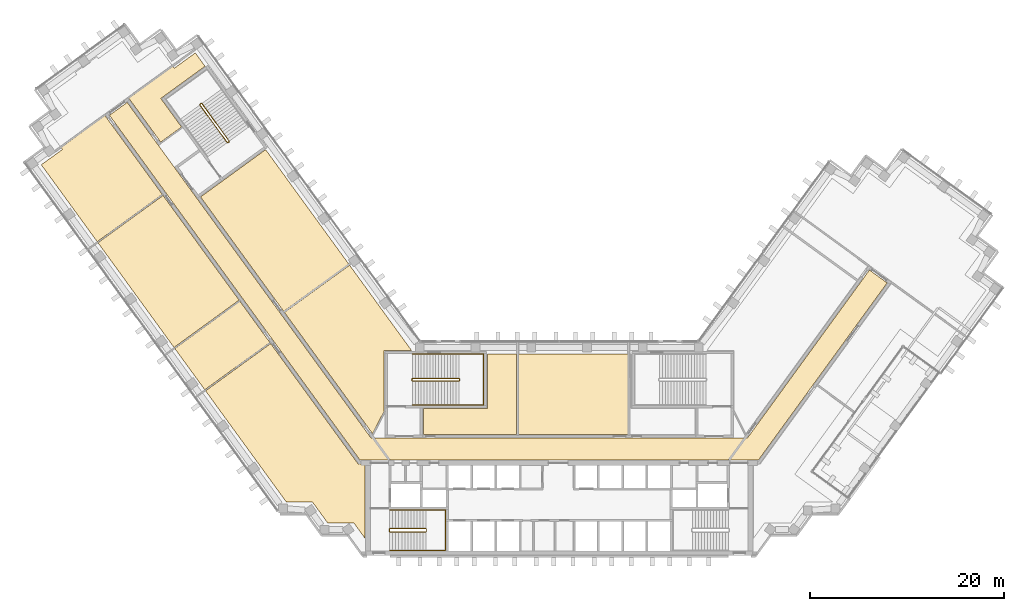
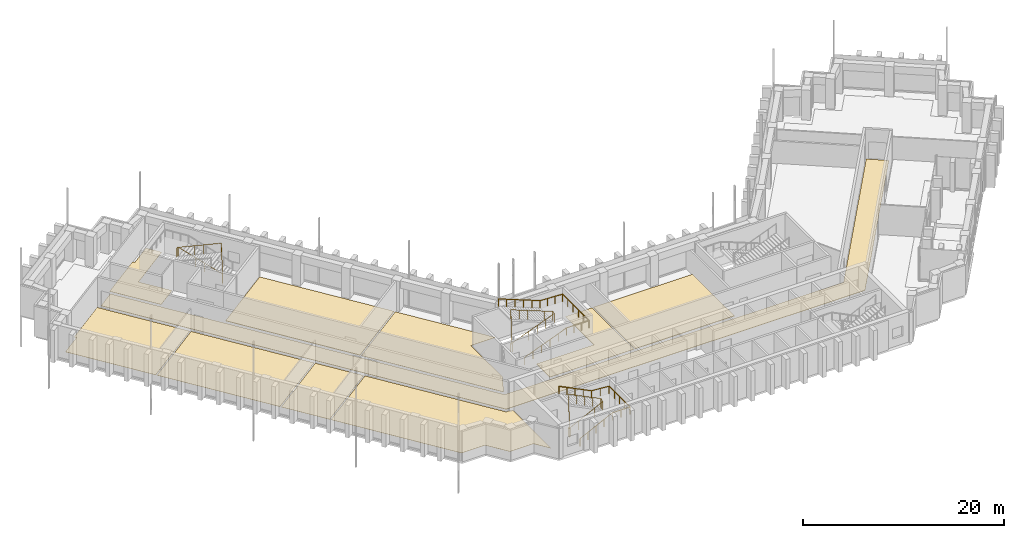
# One storey, part 15 of 17: 10 coverings, 5 railings.
"""IFC4 building model written with IfcOpenShell, lengths in metres."""

from ifc_helpers import new_model, si_unit, direction, frame, origin, origin_2d, place, context, subcontext, project, spatial, polyline, circle, outline, extrude, material, layer, layer_set, type_object, element, save


model = new_model("IFC4")

# Units and contexts
model_context = context("Model", 3, precision=1e-05, world=origin(), true_north=direction((0.0, 1.0)))
body_context = subcontext(model_context, "Body", "Model", "MODEL_VIEW")
ifc_project = project(units=[si_unit("LENGTHUNIT", "METRE"), si_unit("AREAUNIT", "SQUARE_METRE"), si_unit("VOLUMEUNIT", "CUBIC_METRE"), si_unit("PLANEANGLEUNIT", "RADIAN"), si_unit("MASSUNIT", "GRAM", prefix="KILO")], contexts=[model_context])

# Site, building, storey
site_placement = place(None, origin())
site = spatial("IfcSite", under=ifc_project, at=site_placement, CompositionType="ELEMENT")
building_placement = place(site_placement, origin())
building = spatial("IfcBuilding", under=site, at=building_placement, Name="Quipu Civic Tower", CompositionType="ELEMENT")
storey_placement = place(building_placement, frame((0.0, 0.0, 101.0)))
storey = spatial("IfcBuildingStorey", under=building, at=storey_placement, Name="L23", CompositionType="ELEMENT", Elevation=101.0)

# Coverings
ifc_material_1 = material(Name="Carpet tile on raised access floor")
ifc_layer_1 = layer(ifc_material_1, 0.02001953125)
ifc_layer_set_1 = layer_set([ifc_layer_1], Name="Carpet tile on raised access floor")
covering_type_1 = type_object("IfcCoveringType", Name="Carpet tile floor finish 20", PredefinedType="FLOORING", material=ifc_layer_set_1)
covering_1_placement = place(storey_placement, origin())
element("IfcCovering", 1, at=covering_1_placement, inside=storey, type_object=covering_type_1, Name="Carpet tile floor finish 20", PredefinedType="FLOORING", context=body_context, shape_type="SweptSolid", body=[
    extrude(outline(polyline([(-14.030029296875, 4.179931640625), (-7.430908203125, 4.179931640625), (-7.429931640625, 9.830078125), (-4.388916015625, 9.830078125), (-4.388916015625, 1.52001953125), (-14.030029296875, 1.52001953125), (-14.030029296875, 4.179931640625)])), origin(), (0.0, 0.0, 1.0), 0.02001953125),
])
covering_2_placement = place(storey_placement, origin())
element("IfcCovering", 2, at=covering_2_placement, inside=storey, type_object=covering_type_1, Name="Carpet tile floor finish 20", PredefinedType="FLOORING", context=body_context, shape_type="SweptSolid", body=[
    extrude(outline(polyline([(-44.445068359375, 36.23193359375), (-39.906005859375, 39.530029296875), (-39.757080078125, 39.327880859375), (-37.573974609375, 40.9130859375), (-36.570068359375, 39.530029296875), (-41.139892578125, 36.208984375), (-38.998046875, 33.260009765625), (-41.15087890625, 31.697021484375), (-44.445068359375, 36.23193359375)])), origin(), (0.0, 0.0, 1.0), 0.02001953125),
])
covering_3_placement = place(storey_placement, origin())
element("IfcCovering", 3, at=covering_3_placement, inside=storey, type_object=covering_type_1, Name="Carpet tile floor finish 20", PredefinedType="FLOORING", context=body_context, shape_type="SweptSolid", body=[
    extrude(outline(polyline([(-53.47998046875, 29.35791015625), (-51.298095703125, 30.943115234375), (-51.443115234375, 31.14599609375), (-46.904052734375, 34.444091796875), (-40.988037109375, 26.301025390625), (-47.7119140625, 21.41796875), (-53.47998046875, 29.35791015625)])), origin(), (0.0, 0.0, 1.0), 0.02001953125),
])
covering_4_placement = place(storey_placement, origin())
element("IfcCovering", 4, at=covering_4_placement, inside=storey, type_object=covering_type_1, Name="Carpet tile floor finish 20", PredefinedType="FLOORING", context=body_context, shape_type="SweptSolid", body=[
    extrude(outline(polyline([(-39.694091796875, 10.383056640625), (-32.969970703125, 15.26708984375), (-29.87890625, 11.010986328125), (-36.60302734375, 6.126953125), (-39.694091796875, 10.383056640625)])), origin(), (0.0, 0.0, 1.0), 0.02001953125),
])
covering_5_placement = place(storey_placement, origin())
element("IfcCovering", 5, at=covering_5_placement, inside=storey, type_object=covering_type_1, Name="Carpet tile floor finish 20", PredefinedType="FLOORING", context=body_context, shape_type="SweptSolid", body=[
    extrude(outline(polyline([(-47.62890625, 21.304931640625), (-40.905029296875, 26.18798828125), (-33.052978515625, 15.3798828125), (-39.777099609375, 10.49609375), (-47.62890625, 21.304931640625)])), origin(), (0.0, 0.0, 1.0), 0.02001953125),
])
covering_6_placement = place(storey_placement, origin())
element("IfcCovering", 6, at=covering_6_placement, inside=storey, type_object=covering_type_1, Name="Carpet tile floor finish 20", PredefinedType="FLOORING", context=body_context, shape_type="SweptSolid", body=[
    extrude(outline(polyline([(-36.52001953125, 6.013916015625), (-29.7958984375, 10.89794921875), (-20.77490234375, -1.51904296875), (-20.070068359375, -1.52001953125), (-20.070068359375, -9.195068359375), (-21.196044921875, -7.64599609375), (-21.6630859375, -7.64599609375), (-21.666015625, -7.64404296875), (-21.669921875, -7.64111328125), (-21.675048828125, -7.639892578125), (-21.679931640625, -7.637939453125), (-21.68408203125, -7.636962890625), (-21.68896484375, -7.636962890625), (-21.694091796875, -7.635986328125), (-21.698974609375, -7.636962890625), (-21.7041015625, -7.637939453125), (-21.708984375, -7.638916015625), (-21.712890625, -7.64111328125), (-21.718017578125, -7.64306640625), (-21.721923828125, -7.64599609375), (-21.721923828125, -7.64599609375), (-23.89501953125, -7.64599609375), (-25.48193359375, -5.4619140625), (-28.181884765625, -5.4609375), (-36.52001953125, 6.013916015625)])), origin(), (0.0, 0.0, 1.0), 0.02001953125),
])
covering_7_placement = place(storey_placement, origin())
element("IfcCovering", 7, at=covering_7_placement, inside=storey, type_object=covering_type_1, Name="Carpet tile floor finish 20", PredefinedType="FLOORING", context=body_context, shape_type="SweptSolid", body=[
    extrude(outline(polyline([(-28.37109375, 14.10888671875), (-21.64794921875, 18.992919921875), (-15.238037109375, 10.169921875), (-18.070068359375, 10.1689453125), (-18.070068359375, 3.94189453125), (-19.27197265625, 1.583984375), (-28.37109375, 14.10888671875)])), origin(), (0.0, 0.0, 1.0), 0.02001953125),
])
ifc_material_2 = material(Name="Sealed cement screed")
ifc_layer_2 = layer(ifc_material_2, 0.050048828125)
ifc_layer_set_2 = layer_set([ifc_layer_2], Name="Sealed cement screed")
covering_type_2 = type_object("IfcCoveringType", Name="Sealed screed floor finish 50", PredefinedType="FLOORING", material=ifc_layer_set_2)
covering_8_placement = place(storey_placement, origin())
element("IfcCovering", 8, at=covering_8_placement, inside=storey, type_object=covering_type_2, Name="Sealed screed floor finish 50", PredefinedType="FLOORING", context=body_context, shape_type="SweptSolid", body=[
    extrude(outline(polyline([(-4.2490234375, 1.52001953125), (-4.2490234375, 9.830078125), (7.1279296875, 9.830078125), (7.1279296875, 1.52001953125), (-4.2490234375, 1.52001953125)])), origin(), (0.0, 0.0, 1.0), 0.050048828125),
])
covering_9_placement = place(storey_placement, origin())
element("IfcCovering", 9, at=covering_9_placement, inside=storey, type_object=covering_type_2, Name="Sealed screed floor finish 50", PredefinedType="FLOORING", context=body_context, shape_type="SweptSolid", body=[
    extrude(outline(polyline([(-37.0380859375, 26.0380859375), (-30.31494140625, 30.922119140625), (-21.73095703125, 19.10595703125), (-28.4541015625, 14.221923828125), (-37.0380859375, 26.0380859375)])), origin(), (0.0, 0.0, 1.0), 0.050048828125),
])

# Railings
ifc_material_3 = material(Name="Stainless steel", Category="steel")
railing_type_1 = type_object("IfcRailingType", Name="Stair guard 1100", PredefinedType="GUARDRAIL", material=ifc_material_3)
railing_1_placement = place(storey_placement, frame((-17.5, -8.550048828125, 0.15380859375)))
element("IfcRailing", 10, at=railing_1_placement, inside=storey, type_object=railing_type_1, Name="Stair 1 guard", PredefinedType="GUARDRAIL", context=body_context, shape_type="SweptSolid", body=[
    extrude(circle(Radius=0.02392578125, at=origin_2d()), frame((0.0, 0.0, 1.076171875), z_axis=(0.895751851347, 0.0, 0.444554407028), x_axis=(0.0, 1.0, 0.0)), (0.0, 0.0, 1.0), 4.15283203125),
    extrude(circle(Radius=0.02392578125, at=origin_2d()), frame((3.719970703125, 0.0, 2.92236328125), z_axis=(0.707106781187, 0.707106781187, 0.0), x_axis=(-0.707106781187, 0.707106781187, 0.0)), (0.0, 0.0, 1.0), 0.07080078125),
    extrude(circle(Radius=0.02392578125, at=origin_2d()), frame((3.77001953125, 0.050048828125, 2.92236328125), z_axis=(0.0, 1.0, 0.0), x_axis=(-1.0, 0.0, 0.0)), (0.0, 0.0, 1.0), 0.25),
    extrude(circle(Radius=0.02392578125, at=origin_2d()), frame((3.77001953125, 0.300048828125, 2.92236328125), z_axis=(-0.295599637079, 0.295599637079, 0.908428152975), x_axis=(-0.707106781187, -0.707106781187, 0.0)), (0.0, 0.0, 1.0), 0.16943359375),
    extrude(circle(Radius=0.02392578125, at=origin_2d()), frame((3.719970703125, 0.35009765625, 3.076171875), z_axis=(-0.895751851347, 0.0, 0.444554407028), x_axis=(0.0, -1.0, 0.0)), (0.0, 0.0, 1.0), 4.15283203125),
    extrude(circle(Radius=0.02392578125, at=origin_2d()), frame((0.0, 0.35009765625, 4.92236328125), z_axis=(-0.012476181752, -0.074796231092, -0.997120789425), x_axis=(0.986372223864, -0.164529134168, 0.0)), (0.0, 0.0, 1.0), 4.011474609375),
    extrude(circle(Radius=0.02392578125, at=origin_2d()), frame((-0.050048828125, 0.050048828125, 0.92236328125), z_axis=(0.0, 1.0, 0.0), x_axis=(-1.0, 0.0, 0.0)), (0.0, 0.0, 1.0), 0.25),
    extrude(circle(Radius=0.02099609375, at=origin_2d()), origin(), (0.0, 0.0, 1.0), 1.052001953125),
    extrude(circle(Radius=0.02099609375, at=origin_2d()), frame((0.929931640625, 0.0, 0.46142578125)), (0.0, 0.0, 1.0), 1.052001953125),
    extrude(circle(Radius=0.02099609375, at=origin_2d()), frame((1.85986328125, 0.0, 0.923095703125)), (0.0, 0.0, 1.0), 1.052001953125),
    extrude(circle(Radius=0.02099609375, at=origin_2d()), frame((2.7900390625, 0.0, 1.384765625)), (0.0, 0.0, 1.0), 1.052001953125),
    extrude(circle(Radius=0.02099609375, at=origin_2d()), frame((3.719970703125, 0.0, 1.84619140625)), (0.0, 0.0, 1.0), 1.052001953125),
    extrude(circle(Radius=0.02099609375, at=origin_2d()), frame((3.77001953125, 0.050048828125, 1.84619140625)), (0.0, 0.0, 1.0), 1.052001953125),
    extrude(circle(Radius=0.02099609375, at=origin_2d()), frame((3.77001953125, 0.300048828125, 1.84619140625)), (0.0, 0.0, 1.0), 1.052001953125),
    extrude(circle(Radius=0.02099609375, at=origin_2d()), frame((3.719970703125, 0.35009765625, 2.0)), (0.0, 0.0, 1.0), 1.052001953125),
    extrude(circle(Radius=0.02099609375, at=origin_2d()), frame((2.7900390625, 0.35009765625, 2.46142578125)), (0.0, 0.0, 1.0), 1.052001953125),
    extrude(circle(Radius=0.02099609375, at=origin_2d()), frame((1.85986328125, 0.35009765625, 2.923095703125)), (0.0, 0.0, 1.0), 1.052001953125),
    extrude(circle(Radius=0.02099609375, at=origin_2d()), frame((0.929931640625, 0.35009765625, 3.384765625)), (0.0, 0.0, 1.0), 1.052001953125),
    extrude(circle(Radius=0.02099609375, at=origin_2d()), frame((0.0, 0.35009765625, 3.84619140625)), (0.0, 0.0, 1.0), 1.052001953125),
    extrude(circle(Radius=0.02099609375, at=origin_2d()), frame((-0.012451171875, 0.275146484375, 2.84619140625)), (0.0, 0.0, 1.0), 1.052001953125),
    extrude(circle(Radius=0.02099609375, at=origin_2d()), frame((-0.02490234375, 0.2001953125, 1.84619140625)), (0.0, 0.0, 1.0), 1.052001953125),
    extrude(circle(Radius=0.02099609375, at=origin_2d()), frame((-0.03759765625, 0.125, 0.84619140625)), (0.0, 0.0, 1.0), 1.052001953125),
    extrude(circle(Radius=0.02099609375, at=origin_2d()), frame((-0.050048828125, 0.050048828125, -0.15380859375)), (0.0, 0.0, 1.0), 1.052001953125),
    extrude(circle(Radius=0.02099609375, at=origin_2d()), frame((-0.050048828125, 0.300048828125, -0.15380859375)), (0.0, 0.0, 1.0), 1.052001953125),
])
railing_2_placement = place(storey_placement, frame((-15.14990234375, 7.050048828125, 0.11767578125)))
element("IfcRailing", 11, at=railing_2_placement, inside=storey, type_object=railing_type_1, Name="Stair 3 guard", PredefinedType="GUARDRAIL", context=body_context, shape_type="SweptSolid", body=[
    extrude(circle(Radius=0.02392578125, at=origin_2d()), frame((0.0, 0.0, 1.076171875), z_axis=(0.930970042603, 0.0, 0.365095576219), x_axis=(0.0, 1.0, 0.0)), (0.0, 0.0, 1.0), 5.15576171875),
    extrude(circle(Radius=0.02392578125, at=origin_2d()), frame((4.7998046875, 0.0, 2.95849609375), z_axis=(0.707106781187, 0.707106781187, 0.0), x_axis=(-0.707106781187, 0.707106781187, 0.0)), (0.0, 0.0, 1.0), 0.07080078125),
    extrude(circle(Radius=0.02392578125, at=origin_2d()), frame((4.849853515625, 0.050048828125, 2.95849609375), z_axis=(0.0, 1.0, 0.0), x_axis=(-1.0, 0.0, 0.0)), (0.0, 0.0, 1.0), 0.14990234375),
    extrude(circle(Radius=0.02392578125, at=origin_2d()), frame((4.849853515625, 0.199951171875, 2.95849609375), z_axis=(-0.364463019033, 0.364463019033, 0.856932561824), x_axis=(-0.707106781187, -0.707106781187, 0.0)), (0.0, 0.0, 1.0), 0.13720703125),
    extrude(circle(Radius=0.02392578125, at=origin_2d()), frame((4.7998046875, 0.25, 3.076171875), z_axis=(-0.930970042603, 0.0, 0.365095576219), x_axis=(0.0, -1.0, 0.0)), (0.0, 0.0, 1.0), 5.15576171875),
    extrude(circle(Radius=0.02392578125, at=origin_2d()), frame((0.0, 0.25, 4.95849609375), z_axis=(-0.012495627992, -0.049921557685, -0.998674970829), x_axis=(0.970072785993, -0.242814311512, 0.0)), (0.0, 0.0, 1.0), 4.00537109375),
    extrude(circle(Radius=0.02392578125, at=origin_2d()), frame((-0.050048828125, 0.050048828125, 0.95849609375), z_axis=(0.0, 1.0, 0.0), x_axis=(-1.0, 0.0, 0.0)), (0.0, 0.0, 1.0), 0.14990234375),
    extrude(circle(Radius=0.02099609375, at=origin_2d()), origin(), (0.0, 0.0, 1.0), 1.052001953125),
    extrude(circle(Radius=0.02099609375, at=origin_2d()), frame((0.9599609375, 0.0, 0.37646484375)), (0.0, 0.0, 1.0), 1.052001953125),
    extrude(circle(Radius=0.02099609375, at=origin_2d()), frame((1.919921875, 0.0, 0.7529296875)), (0.0, 0.0, 1.0), 1.052001953125),
    extrude(circle(Radius=0.02099609375, at=origin_2d()), frame((2.8798828125, 0.0, 1.12939453125)), (0.0, 0.0, 1.0), 1.052001953125),
    extrude(circle(Radius=0.02099609375, at=origin_2d()), frame((3.83984375, 0.0, 1.505859375)), (0.0, 0.0, 1.0), 1.052001953125),
    extrude(circle(Radius=0.02099609375, at=origin_2d()), frame((4.7998046875, 0.0, 1.88232421875)), (0.0, 0.0, 1.0), 1.052001953125),
    extrude(circle(Radius=0.02099609375, at=origin_2d()), frame((4.849853515625, 0.050048828125, 1.88232421875)), (0.0, 0.0, 1.0), 1.052001953125),
    extrude(circle(Radius=0.02099609375, at=origin_2d()), frame((4.849853515625, 0.199951171875, 1.88232421875)), (0.0, 0.0, 1.0), 1.052001953125),
    extrude(circle(Radius=0.02099609375, at=origin_2d()), frame((4.7998046875, 0.25, 2.0)), (0.0, 0.0, 1.0), 1.052001953125),
    extrude(circle(Radius=0.02099609375, at=origin_2d()), frame((3.83984375, 0.25, 2.37646484375)), (0.0, 0.0, 1.0), 1.052001953125),
    extrude(circle(Radius=0.02099609375, at=origin_2d()), frame((2.8798828125, 0.25, 2.7529296875)), (0.0, 0.0, 1.0), 1.052001953125),
    extrude(circle(Radius=0.02099609375, at=origin_2d()), frame((1.919921875, 0.25, 3.12939453125)), (0.0, 0.0, 1.0), 1.052001953125),
    extrude(circle(Radius=0.02099609375, at=origin_2d()), frame((0.9599609375, 0.25, 3.505859375)), (0.0, 0.0, 1.0), 1.052001953125),
    extrude(circle(Radius=0.02099609375, at=origin_2d()), frame((0.0, 0.25, 3.88232421875)), (0.0, 0.0, 1.0), 1.052001953125),
    extrude(circle(Radius=0.02099609375, at=origin_2d()), frame((-0.012451171875, 0.199951171875, 2.88232421875)), (0.0, 0.0, 1.0), 1.052001953125),
    extrude(circle(Radius=0.02099609375, at=origin_2d()), frame((-0.02490234375, 0.14990234375, 1.88232421875)), (0.0, 0.0, 1.0), 1.052001953125),
    extrude(circle(Radius=0.02099609375, at=origin_2d()), frame((-0.03759765625, 0.10009765625, 0.88232421875)), (0.0, 0.0, 1.0), 1.052001953125),
    extrude(circle(Radius=0.02099609375, at=origin_2d()), frame((-0.050048828125, 0.050048828125, -0.11767578125)), (0.0, 0.0, 1.0), 1.052001953125),
    extrude(circle(Radius=0.02099609375, at=origin_2d()), frame((-0.050048828125, 0.199951171875, -0.11767578125)), (0.0, 0.0, 1.0), 1.052001953125),
])
railing_3_placement = place(storey_placement, frame((-34.078857421875, 31.79736328125, 0.11767578125)))
element("IfcRailing", 12, at=railing_3_placement, inside=storey, type_object=railing_type_1, Name="Stair 6 guard", PredefinedType="GUARDRAIL", context=body_context, shape_type="SweptSolid", body=[
    extrude(circle(Radius=0.02392578125, at=origin_2d()), frame((0.0, 0.0, 1.076171875), z_axis=(-0.54720100349, 0.753182689643, 0.365084781664), x_axis=(-0.809026317077, -0.587772420479, 0.0)), (0.0, 0.0, 1.0), 5.15576171875),
    extrude(circle(Radius=0.02392578125, at=origin_2d()), frame((-2.8212890625, 3.88330078125, 2.95849609375), z_axis=(-0.987846838465, 0.155430446612, 0.0), x_axis=(-0.155430446612, -0.987846838465, 0.0)), (0.0, 0.0, 1.0), 0.07080078125),
    extrude(circle(Radius=0.02392578125, at=origin_2d()), frame((-2.89111328125, 3.894287109375, 2.95849609375), z_axis=(-0.809649071907, -0.586914287065, 0.0), x_axis=(0.586914287065, -0.809649071907, 0.0)), (0.0, 0.0, 1.0), 0.150146484375),
    extrude(circle(Radius=0.02392578125, at=origin_2d()), frame((-3.0126953125, 3.80615234375, 2.95849609375), z_axis=(-0.080033047627, -0.508654480474, 0.857242865693), x_axis=(0.987846838465, -0.155430446612, 0.0)), (0.0, 0.0, 1.0), 0.13720703125),
    extrude(circle(Radius=0.02392578125, at=origin_2d()), frame((-3.023681640625, 3.736328125, 3.076171875), z_axis=(0.54720100349, -0.753182689643, 0.365084781664), x_axis=(0.809026317077, 0.587772420479, 0.0)), (0.0, 0.0, 1.0), 5.15576171875),
    extrude(circle(Radius=0.02392578125, at=origin_2d()), frame((-0.202392578125, -0.14697265625, 4.95849609375), z_axis=(0.047788004556, 0.019261491632, -0.998671768681), x_axis=(-0.373837031195, 0.92749440651, 0.0)), (0.0, 0.0, 1.0), 4.00537109375),
    extrude(circle(Radius=0.02392578125, at=origin_2d()), frame((-0.010986328125, -0.06982421875, 0.95849609375), z_axis=(-0.809087927272, -0.587687609145, 0.0), x_axis=(0.587687609145, -0.809087927272, 0.0)), (0.0, 0.0, 1.0), 0.14990234375),
    extrude(circle(Radius=0.02099609375, at=origin_2d()), origin(), (0.0, 0.0, 1.0), 1.052001953125),
    extrude(circle(Radius=0.02099609375, at=origin_2d()), frame((-0.564208984375, 0.776611328125, 0.37646484375)), (0.0, 0.0, 1.0), 1.052001953125),
    extrude(circle(Radius=0.02099609375, at=origin_2d()), frame((-1.12841796875, 1.55322265625, 0.7529296875)), (0.0, 0.0, 1.0), 1.052001953125),
    extrude(circle(Radius=0.02099609375, at=origin_2d()), frame((-1.69287109375, 2.330078125, 1.12939453125)), (0.0, 0.0, 1.0), 1.052001953125),
    extrude(circle(Radius=0.02099609375, at=origin_2d()), frame((-2.257080078125, 3.106689453125, 1.505859375)), (0.0, 0.0, 1.0), 1.052001953125),
    extrude(circle(Radius=0.02099609375, at=origin_2d()), frame((-2.8212890625, 3.88330078125, 1.88232421875)), (0.0, 0.0, 1.0), 1.052001953125),
    extrude(circle(Radius=0.02099609375, at=origin_2d()), frame((-2.89111328125, 3.894287109375, 1.88232421875)), (0.0, 0.0, 1.0), 1.052001953125),
    extrude(circle(Radius=0.02099609375, at=origin_2d()), frame((-3.0126953125, 3.80615234375, 1.88232421875)), (0.0, 0.0, 1.0), 1.052001953125),
    extrude(circle(Radius=0.02099609375, at=origin_2d()), frame((-3.023681640625, 3.736328125, 2.0)), (0.0, 0.0, 1.0), 1.052001953125),
    extrude(circle(Radius=0.02099609375, at=origin_2d()), frame((-2.45947265625, 2.959716796875, 2.37646484375)), (0.0, 0.0, 1.0), 1.052001953125),
    extrude(circle(Radius=0.02099609375, at=origin_2d()), frame((-1.895263671875, 2.18310546875, 2.7529296875)), (0.0, 0.0, 1.0), 1.052001953125),
    extrude(circle(Radius=0.02099609375, at=origin_2d()), frame((-1.330810546875, 1.40625, 3.12939453125)), (0.0, 0.0, 1.0), 1.052001953125),
    extrude(circle(Radius=0.02099609375, at=origin_2d()), frame((-0.7666015625, 0.629638671875, 3.505859375)), (0.0, 0.0, 1.0), 1.052001953125),
    extrude(circle(Radius=0.02099609375, at=origin_2d()), frame((-0.202392578125, -0.14697265625, 3.88232421875)), (0.0, 0.0, 1.0), 1.052001953125),
    extrude(circle(Radius=0.02099609375, at=origin_2d()), frame((-0.154541015625, -0.127685546875, 2.88232421875)), (0.0, 0.0, 1.0), 1.052001953125),
    extrude(circle(Radius=0.02099609375, at=origin_2d()), frame((-0.106689453125, -0.1083984375, 1.88232421875)), (0.0, 0.0, 1.0), 1.052001953125),
    extrude(circle(Radius=0.02099609375, at=origin_2d()), frame((-0.058837890625, -0.089111328125, 0.88232421875)), (0.0, 0.0, 1.0), 1.052001953125),
    extrude(circle(Radius=0.02099609375, at=origin_2d()), frame((-0.010986328125, -0.06982421875, -0.11767578125)), (0.0, 0.0, 1.0), 1.052001953125),
    extrude(circle(Radius=0.02099609375, at=origin_2d()), frame((-0.13232421875, -0.157958984375, -0.11767578125)), (0.0, 0.0, 1.0), 1.052001953125),
])
ifc_material_4 = material(Name="Stainless steel", Category="steel")
railing_type_2 = type_object("IfcRailingType", Name="Stair handrail", PredefinedType="HANDRAIL", material=ifc_material_4)
railing_4_placement = place(storey_placement, frame((-17.5, -10.449951171875, 0.15380859375)))
element("IfcRailing", 13, at=railing_4_placement, inside=storey, type_object=railing_type_2, Name="Stair 1 handrail", PredefinedType="HANDRAIL", context=body_context, shape_type="SweptSolid", body=[
    extrude(circle(Radius=0.02392578125, at=origin_2d()), frame((0.0, 0.0, 0.8759765625), z_axis=(0.895751851347, 0.0, 0.444554407028), x_axis=(0.0, 1.0, 0.0)), (0.0, 0.0, 1.0), 4.15283203125),
    extrude(circle(Radius=0.02392578125, at=origin_2d()), frame((3.719970703125, 0.0, 2.72216796875), z_axis=(1.0, 0.0, 0.0), x_axis=(0.0, 1.0, 0.0)), (0.0, 0.0, 1.0), 2.030029296875),
    extrude(circle(Radius=0.02392578125, at=origin_2d()), frame((5.75, 0.0, 2.72216796875), z_axis=(0.0, 1.0, 0.0), x_axis=(-1.0, 0.0, 0.0)), (0.0, 0.0, 1.0), 4.14990234375),
    extrude(circle(Radius=0.02392578125, at=origin_2d()), frame((5.75, 4.14990234375, 2.72216796875), z_axis=(-0.997142003663, 0.0, 0.075550145798), x_axis=(0.0, -1.0, 0.0)), (0.0, 0.0, 1.0), 2.035888671875),
    extrude(circle(Radius=0.02392578125, at=origin_2d()), frame((3.719970703125, 4.14990234375, 2.8759765625), z_axis=(-0.895751851347, 0.0, 0.444554407028), x_axis=(0.0, -1.0, 0.0)), (0.0, 0.0, 1.0), 4.15283203125),
    extrude(circle(Radius=0.02099609375, at=origin_2d()), origin(), (0.0, 0.0, 1.0), 0.851806640625),
    extrude(circle(Radius=0.02099609375, at=origin_2d()), frame((0.929931640625, 0.0, 0.46142578125)), (0.0, 0.0, 1.0), 0.851806640625),
    extrude(circle(Radius=0.02099609375, at=origin_2d()), frame((1.85986328125, 0.0, 0.923095703125)), (0.0, 0.0, 1.0), 0.851806640625),
    extrude(circle(Radius=0.02099609375, at=origin_2d()), frame((2.7900390625, 0.0, 1.384765625)), (0.0, 0.0, 1.0), 0.851806640625),
    extrude(circle(Radius=0.02099609375, at=origin_2d()), frame((3.719970703125, 0.0, 1.84619140625)), (0.0, 0.0, 1.0), 0.851806640625),
    extrude(circle(Radius=0.02099609375, at=origin_2d()), frame((4.73486328125, 0.0, 1.84619140625)), (0.0, 0.0, 1.0), 0.851806640625),
    extrude(circle(Radius=0.02099609375, at=origin_2d()), frame((5.75, 0.0, 1.84619140625)), (0.0, 0.0, 1.0), 0.851806640625),
    extrude(circle(Radius=0.02099609375, at=origin_2d()), frame((5.75, 1.03759765625, 1.84619140625)), (0.0, 0.0, 1.0), 0.851806640625),
    extrude(circle(Radius=0.02099609375, at=origin_2d()), frame((5.75, 2.074951171875, 1.84619140625)), (0.0, 0.0, 1.0), 0.851806640625),
    extrude(circle(Radius=0.02099609375, at=origin_2d()), frame((5.75, 3.1123046875, 1.84619140625)), (0.0, 0.0, 1.0), 0.851806640625),
    extrude(circle(Radius=0.02099609375, at=origin_2d()), frame((5.75, 4.14990234375, 1.84619140625)), (0.0, 0.0, 1.0), 0.851806640625),
    extrude(circle(Radius=0.02099609375, at=origin_2d()), frame((4.73486328125, 4.14990234375, 1.923095703125)), (0.0, 0.0, 1.0), 0.851806640625),
    extrude(circle(Radius=0.02099609375, at=origin_2d()), frame((3.719970703125, 4.14990234375, 2.0)), (0.0, 0.0, 1.0), 0.851806640625),
    extrude(circle(Radius=0.02099609375, at=origin_2d()), frame((2.7900390625, 4.14990234375, 2.46142578125)), (0.0, 0.0, 1.0), 0.851806640625),
    extrude(circle(Radius=0.02099609375, at=origin_2d()), frame((1.85986328125, 4.14990234375, 2.923095703125)), (0.0, 0.0, 1.0), 0.851806640625),
    extrude(circle(Radius=0.02099609375, at=origin_2d()), frame((0.929931640625, 4.14990234375, 3.384765625)), (0.0, 0.0, 1.0), 0.851806640625),
    extrude(circle(Radius=0.02099609375, at=origin_2d()), frame((0.0, 4.14990234375, 3.84619140625)), (0.0, 0.0, 1.0), 0.851806640625),
])
railing_5_placement = place(storey_placement, frame((-15.14990234375, 4.550048828125, 0.11767578125)))
element("IfcRailing", 14, at=railing_5_placement, inside=storey, type_object=railing_type_2, Name="Stair 3 handrail", PredefinedType="HANDRAIL", context=body_context, shape_type="SweptSolid", body=[
    extrude(circle(Radius=0.02392578125, at=origin_2d()), frame((0.0, 0.0, 0.8759765625), z_axis=(0.930970042603, 0.0, 0.365095576219), x_axis=(0.0, 1.0, 0.0)), (0.0, 0.0, 1.0), 5.15576171875),
    extrude(circle(Radius=0.02392578125, at=origin_2d()), frame((4.7998046875, 0.0, 2.75830078125), z_axis=(1.0, 0.0, 0.0), x_axis=(0.0, 1.0, 0.0)), (0.0, 0.0, 1.0), 2.550048828125),
    extrude(circle(Radius=0.02392578125, at=origin_2d()), frame((7.349853515625, 0.0, 2.75830078125), z_axis=(0.0, 1.0, 0.0), x_axis=(-1.0, 0.0, 0.0)), (0.0, 0.0, 1.0), 5.25),
    extrude(circle(Radius=0.02392578125, at=origin_2d()), frame((7.349853515625, 5.25, 2.75830078125), z_axis=(-0.998936948642, 0.0, 0.04609742549), x_axis=(0.0, -1.0, 0.0)), (0.0, 0.0, 1.0), 2.552734375),
    extrude(circle(Radius=0.02392578125, at=origin_2d()), frame((4.7998046875, 5.25, 2.8759765625), z_axis=(-0.930970042603, 0.0, 0.365095576219), x_axis=(0.0, -1.0, 0.0)), (0.0, 0.0, 1.0), 5.15576171875),
    extrude(circle(Radius=0.02099609375, at=origin_2d()), origin(), (0.0, 0.0, 1.0), 0.851806640625),
    extrude(circle(Radius=0.02099609375, at=origin_2d()), frame((0.9599609375, 0.0, 0.37646484375)), (0.0, 0.0, 1.0), 0.851806640625),
    extrude(circle(Radius=0.02099609375, at=origin_2d()), frame((1.919921875, 0.0, 0.7529296875)), (0.0, 0.0, 1.0), 0.851806640625),
    extrude(circle(Radius=0.02099609375, at=origin_2d()), frame((2.8798828125, 0.0, 1.12939453125)), (0.0, 0.0, 1.0), 0.851806640625),
    extrude(circle(Radius=0.02099609375, at=origin_2d()), frame((3.83984375, 0.0, 1.505859375)), (0.0, 0.0, 1.0), 0.851806640625),
    extrude(circle(Radius=0.02099609375, at=origin_2d()), frame((4.7998046875, 0.0, 1.88232421875)), (0.0, 0.0, 1.0), 0.851806640625),
    extrude(circle(Radius=0.02099609375, at=origin_2d()), frame((5.64990234375, 0.0, 1.88232421875)), (0.0, 0.0, 1.0), 0.851806640625),
    extrude(circle(Radius=0.02099609375, at=origin_2d()), frame((6.499755859375, 0.0, 1.88232421875)), (0.0, 0.0, 1.0), 0.851806640625),
    extrude(circle(Radius=0.02099609375, at=origin_2d()), frame((7.349853515625, 0.0, 1.88232421875)), (0.0, 0.0, 1.0), 0.851806640625),
    extrude(circle(Radius=0.02099609375, at=origin_2d()), frame((7.349853515625, 1.050048828125, 1.88232421875)), (0.0, 0.0, 1.0), 0.851806640625),
    extrude(circle(Radius=0.02099609375, at=origin_2d()), frame((7.349853515625, 2.10009765625, 1.88232421875)), (0.0, 0.0, 1.0), 0.851806640625),
    extrude(circle(Radius=0.02099609375, at=origin_2d()), frame((7.349853515625, 3.14990234375, 1.88232421875)), (0.0, 0.0, 1.0), 0.851806640625),
    extrude(circle(Radius=0.02099609375, at=origin_2d()), frame((7.349853515625, 4.199951171875, 1.88232421875)), (0.0, 0.0, 1.0), 0.851806640625),
    extrude(circle(Radius=0.02099609375, at=origin_2d()), frame((7.349853515625, 5.25, 1.88232421875)), (0.0, 0.0, 1.0), 0.851806640625),
    extrude(circle(Radius=0.02099609375, at=origin_2d()), frame((6.499755859375, 5.25, 1.921630859375)), (0.0, 0.0, 1.0), 0.851806640625),
    extrude(circle(Radius=0.02099609375, at=origin_2d()), frame((5.64990234375, 5.25, 1.960693359375)), (0.0, 0.0, 1.0), 0.851806640625),
    extrude(circle(Radius=0.02099609375, at=origin_2d()), frame((4.7998046875, 5.25, 2.0)), (0.0, 0.0, 1.0), 0.851806640625),
    extrude(circle(Radius=0.02099609375, at=origin_2d()), frame((3.83984375, 5.25, 2.37646484375)), (0.0, 0.0, 1.0), 0.851806640625),
    extrude(circle(Radius=0.02099609375, at=origin_2d()), frame((2.8798828125, 5.25, 2.7529296875)), (0.0, 0.0, 1.0), 0.851806640625),
    extrude(circle(Radius=0.02099609375, at=origin_2d()), frame((1.919921875, 5.25, 3.12939453125)), (0.0, 0.0, 1.0), 0.851806640625),
    extrude(circle(Radius=0.02099609375, at=origin_2d()), frame((0.9599609375, 5.25, 3.505859375)), (0.0, 0.0, 1.0), 0.851806640625),
    extrude(circle(Radius=0.02099609375, at=origin_2d()), frame((0.0, 5.25, 3.88232421875)), (0.0, 0.0, 1.0), 0.851806640625),
])

# Covering
ifc_material_5 = material(Name="Terrazzo floor finish")
ifc_layer_3 = layer(ifc_material_5, 0.0400390625)
ifc_layer_set_3 = layer_set([ifc_layer_3], Name="Terrazzo floor finish")
covering_type_3 = type_object("IfcCoveringType", Name="Terrazzo floor finish 40", PredefinedType="FLOORING", material=ifc_layer_set_3)
covering_10_placement = place(storey_placement, origin())
element("IfcCovering", 15, at=covering_10_placement, inside=storey, type_object=covering_type_3, Name="Terrazzo floor finish 40", PredefinedType="FLOORING", context=body_context, shape_type="SweptSolid", body=[
    extrude(outline(polyline([(20.574951171875, -1.1298828125), (-20.574951171875, -1.1298828125), (-46.44091796875, 34.471923828125), (-44.613037109375, 35.800048828125), (-19.425048828125, 1.1298828125), (19.425048828125, 1.1298828125), (32.033935546875, 18.487060546875), (33.863037109375, 17.158935546875), (20.574951171875, -1.1298828125)])), origin(), (0.0, 0.0, 1.0), 0.0400390625),
])

save(model, "model.ifc")
